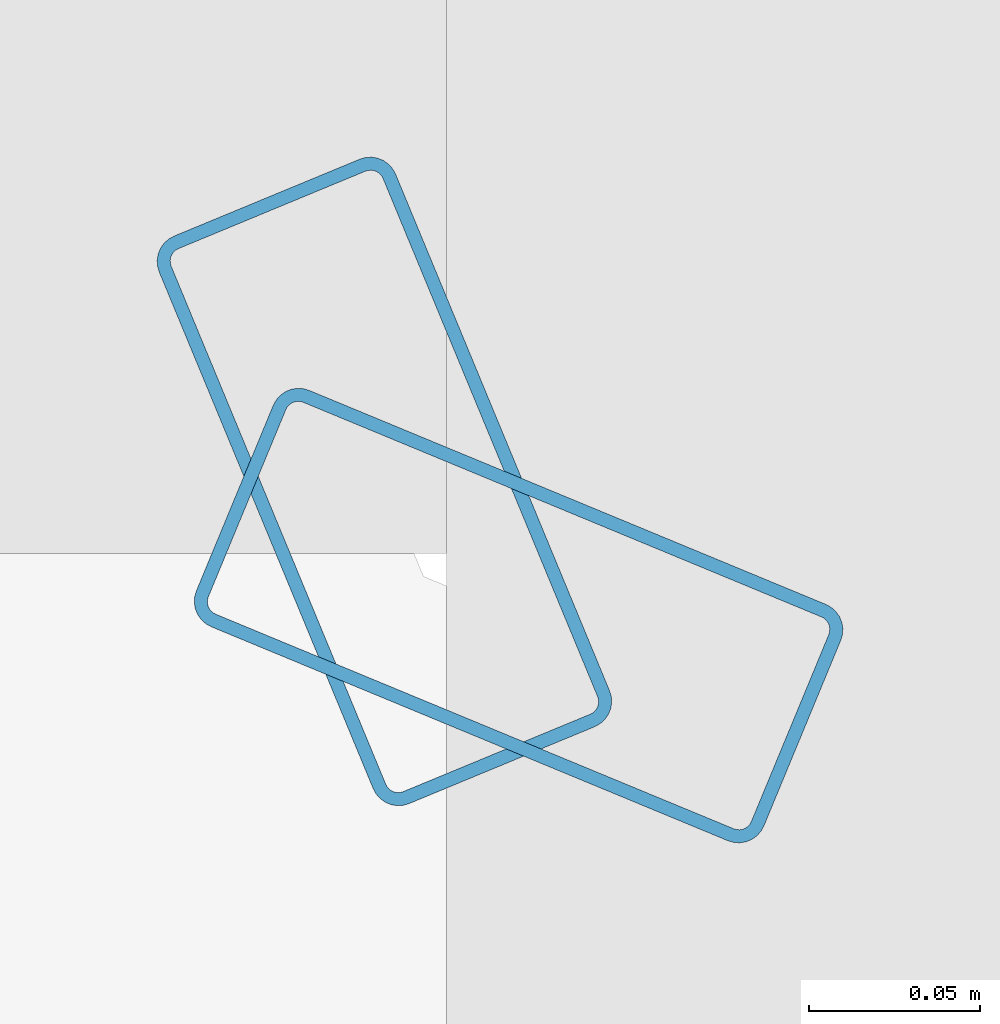
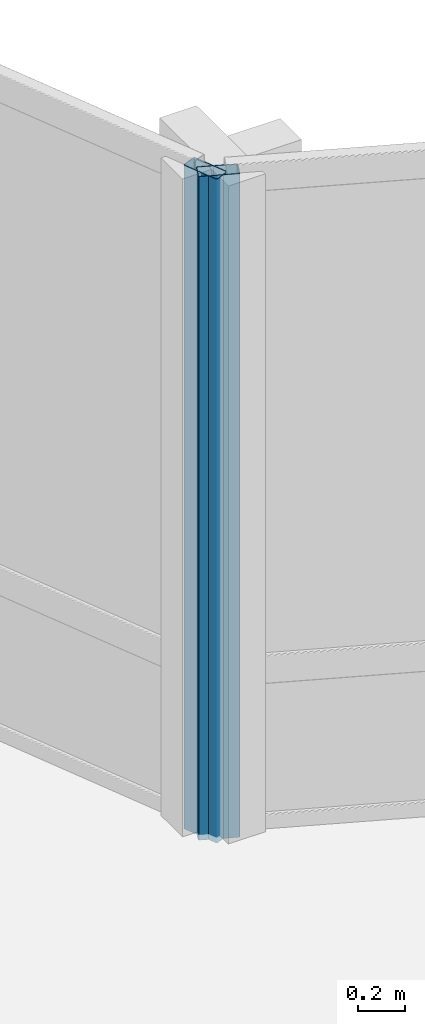
# One storey, part 8 of 34: 2 members, 2 elements without a shape of their own.
"""IFC4 building model written with IfcOpenShell, lengths in metres."""

from ifc_helpers import new_model, si_unit, direction, frame, origin, origin_2d, place, context, subcontext, project, spatial, hollow_rectangle, extrude, material, layer, layer_set, material_profile, profile_set, type_object, element, aggregate, save


model = new_model("IFC4")

# Units and contexts
model_context = context("Model", 3, precision=1e-05, world=origin(), true_north=direction((0.0, 1.0)))
body_context = subcontext(model_context, "Body", "Model", "MODEL_VIEW")
ifc_project = project(units=[si_unit("LENGTHUNIT", "METRE"), si_unit("AREAUNIT", "SQUARE_METRE"), si_unit("VOLUMEUNIT", "CUBIC_METRE"), si_unit("PLANEANGLEUNIT", "RADIAN"), si_unit("MASSUNIT", "GRAM", prefix="KILO")], contexts=[model_context])

# Site, building, storey
site_placement = place(None, origin())
site = spatial("IfcSite", under=ifc_project, at=site_placement, CompositionType="ELEMENT")
building_placement = place(site_placement, origin())
building = spatial("IfcBuilding", under=site, at=building_placement, Name="Solvaryn Broadcast Tower", CompositionType="ELEMENT")
storey_placement = place(building_placement, frame((0.0, 0.0, 50.800048828125)))
storey = spatial("IfcBuildingStorey", under=building, at=storey_placement, Name="L11", CompositionType="ELEMENT", Elevation=50.800048828125)

# Curtain wall, member
ifc_material_1 = material(Name="Aluminium and Terracotta Unitised Curtain Wall", Category="masonry")
ifc_layer = layer(ifc_material_1, 0.199951171875)
ifc_layer_set = layer_set([ifc_layer], Name="CW-SYS2-LOWMID")
curtain_wall_type = type_object("IfcCurtainWallType", Name="CW-SYS2-LOWMID", PredefinedType="NOTDEFINED", material=ifc_layer_set)
curtain_wall_1_placement = place(storey_placement, origin())
curtain_wall_1 = element("IfcCurtainWall", 1, at=curtain_wall_1_placement, inside=storey, type_object=curtain_wall_type, Name="L11 Curtain Wall CN1", PredefinedType="NOTDEFINED")
ifc_material_2 = material(Name="Anodised Aluminium 6063-T6", Category="aluminium")
ifc_material_profile = material_profile(ifc_material_2, hollow_rectangle(XDim=0.074951171875, YDim=0.179931640625, WallThickness=0.00390625, InnerFilletRadius=0.00390625, OuterFilletRadius=0.008056640625, at=origin_2d()))
ifc_profile_set = profile_set([ifc_material_profile], Name="Anodised Aluminium 6063-T6")
member_type = type_object("IfcMemberType", Name="CW-MUL-180", PredefinedType="MULLION", material=ifc_profile_set)
member_1_placement = place(storey_placement, frame((30.395751953125, 30.3564453125, 0.0), z_axis=(0.0, 0.0, 1.0), x_axis=(-0.382646127145, -0.923894983957, 0.0)))
member_1 = element("IfcMember", 2, at=member_1_placement, type_object=member_type, Name="CWS2 mullion 2", PredefinedType="MULLION", context=body_context, shape_type="SweptSolid", body=[
    extrude(hollow_rectangle(XDim=0.074951171875, YDim=0.179931640625, WallThickness=0.00390625, InnerFilletRadius=0.00390625, OuterFilletRadius=0.008056640625, at=origin_2d()), origin(), (0.0, 0.0, 1.0), 3.419921875),
])
aggregate(curtain_wall_1, [member_1])

curtain_wall_2_placement = place(storey_placement, origin())
curtain_wall_2 = element("IfcCurtainWall", 3, at=curtain_wall_2_placement, inside=storey, type_object=curtain_wall_type, Name="L11 Curtain Wall CN2", PredefinedType="NOTDEFINED")
member_2_placement = place(storey_placement, frame((30.3564453125, 30.395751953125, 0.0), z_axis=(0.0, 0.0, 1.0), x_axis=(-0.923894983957, -0.382646127145, 0.0)))
member_2 = element("IfcMember", 4, at=member_2_placement, type_object=member_type, Name="CWS2 mullion 1", PredefinedType="MULLION", context=body_context, shape_type="SweptSolid", body=[
    extrude(hollow_rectangle(XDim=0.074951171875, YDim=0.179931640625, WallThickness=0.00390625, InnerFilletRadius=0.00390625, OuterFilletRadius=0.008056640625, at=origin_2d()), origin(), (0.0, 0.0, 1.0), 3.419921875),
])
aggregate(curtain_wall_2, [member_2])

save(model, "model.ifc")
